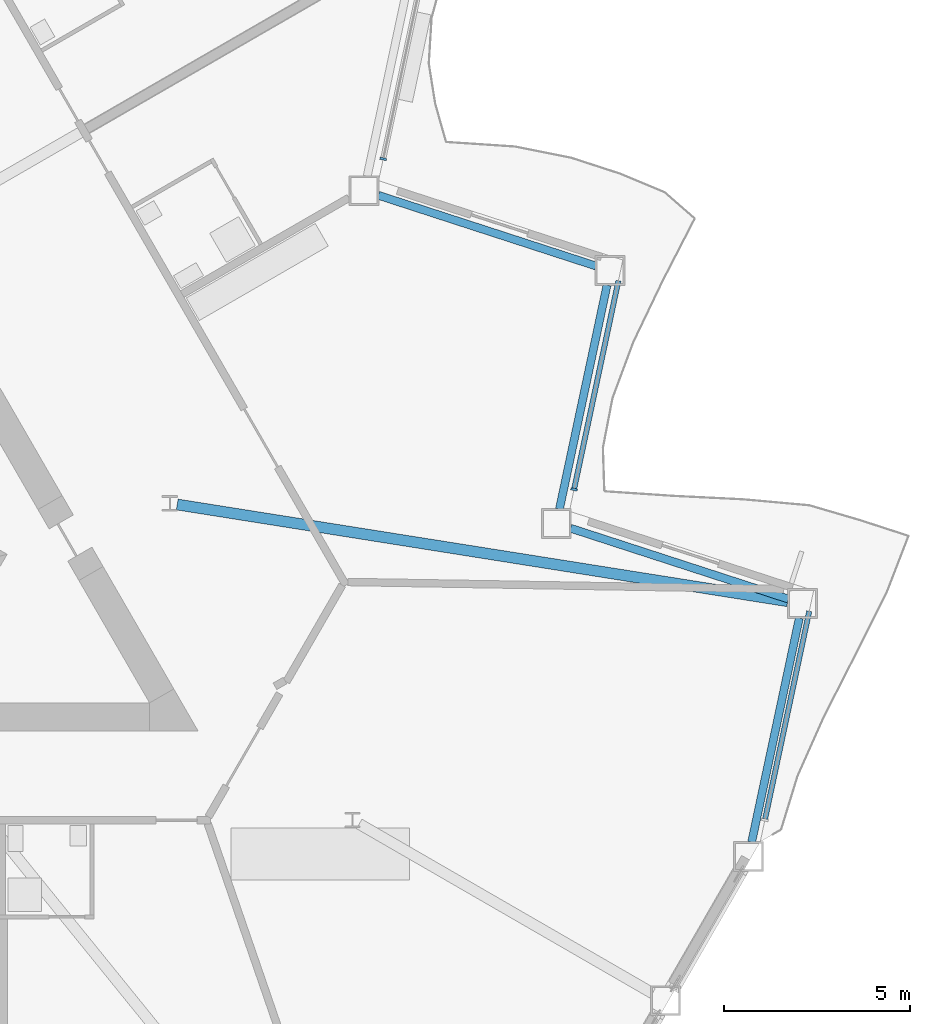
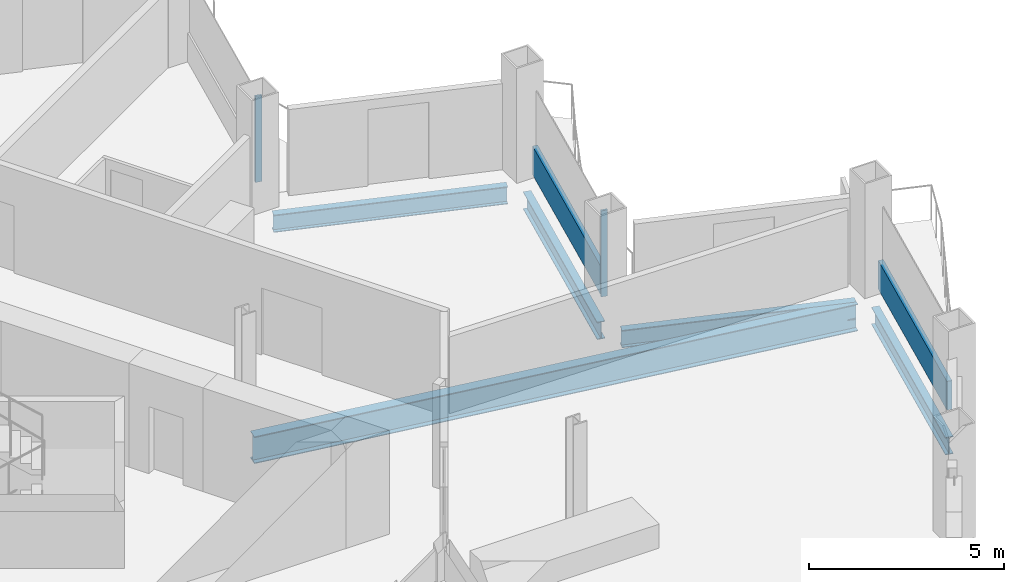
# One storey, part 6 of 23: 5 beams, 4 members, 3 elements without a shape of their own.
"""IFC4 building model written with IfcOpenShell, lengths in metres."""

from ifc_helpers import new_model, si_unit, direction, frame, origin, origin_2d, place, context, subcontext, project, spatial, rectangle, i_section, extrude, material, layer, layer_set, material_profile, profile_set, type_object, element, aggregate, save


model = new_model("IFC4")

# Units and contexts
model_context = context("Model", 3, precision=1e-05, world=origin(), true_north=direction((0.0, 1.0)))
body_context = subcontext(model_context, "Body", "Model", "MODEL_VIEW")
ifc_project = project(units=[si_unit("LENGTHUNIT", "METRE"), si_unit("AREAUNIT", "SQUARE_METRE"), si_unit("VOLUMEUNIT", "CUBIC_METRE"), si_unit("PLANEANGLEUNIT", "RADIAN"), si_unit("MASSUNIT", "GRAM", prefix="KILO")], contexts=[model_context])

# Site, building, storey
site_placement = place(None, origin())
site = spatial("IfcSite", under=ifc_project, at=site_placement, CompositionType="ELEMENT")
building_placement = place(site_placement, origin())
building = spatial("IfcBuilding", under=site, at=building_placement, Name="Cormorant Prow Tower", CompositionType="ELEMENT")
storey_placement = place(building_placement, frame((0.0, 0.0, 180.0)))
storey = spatial("IfcBuildingStorey", under=building, at=storey_placement, Name="L38", CompositionType="ELEMENT", Elevation=180.0)

# Curtain wall, member
ifc_material_1 = material(Name="Aluminium 6063-T6", Category="aluminium")
ifc_layer = layer(ifc_material_1, 0.179931640625)
ifc_layer_set = layer_set([ifc_layer], Name="Aluminium 6063-T6")
curtain_wall_type = type_object("IfcCurtainWallType", Name="Hotel unitised curtain wall 180", PredefinedType="NOTDEFINED", material=ifc_layer_set)
curtain_wall_1_placement = place(storey_placement, origin())
curtain_wall_1 = element("IfcCurtainWall", 1, at=curtain_wall_1_placement, inside=storey, type_object=curtain_wall_type, Name="Hotel curtain wall ENE02", PredefinedType="NOTDEFINED")
ifc_material_2 = material(Name="Aluminium 6063-T6", Category="aluminium")
ifc_material_profile_1 = material_profile(ifc_material_2, rectangle(XDim=0.179931640625, YDim=0.06005859375, at=origin_2d()), Name="Hotel mullion 60x180")
ifc_profile_set_1 = profile_set([ifc_material_profile_1], Name="Aluminium 6063-T6")
member_type_1 = type_object("IfcMemberType", Name="Hotel mullion 60x180", PredefinedType="MULLION", material=ifc_profile_set_1)
member_1_placement = place(storey_placement, frame((25.6044921875, -2.46484375, 0.0), z_axis=(0.0, 0.0, 1.0), x_axis=(-0.978147621102, 0.207911594993, 0.0)))
member_1 = element("IfcMember", 2, at=member_1_placement, type_object=member_type_1, Name="Hotel mullion ENE02", PredefinedType="MULLION", context=body_context, shape_type="SweptSolid", body=[
    extrude(rectangle(XDim=0.179931640625, YDim=0.06005859375, at=origin_2d()), origin(), (0.0, 0.0, 1.0), 2.700927734375),
])

curtain_wall_2_placement = place(storey_placement, origin())
curtain_wall_2 = element("IfcCurtainWall", 3, at=curtain_wall_2_placement, inside=storey, type_object=curtain_wall_type, Name="Hotel curtain wall ENE04", PredefinedType="NOTDEFINED")
member_2_placement = place(storey_placement, frame((20.4775390625, 6.41552734375, 0.0), z_axis=(0.0, 0.0, 1.0), x_axis=(-0.978147585359, 0.207911763151, 0.0)))
member_2 = element("IfcMember", 4, at=member_2_placement, type_object=member_type_1, Name="Hotel mullion ENE04", PredefinedType="MULLION", context=body_context, shape_type="SweptSolid", body=[
    extrude(rectangle(XDim=0.179931640625, YDim=0.06005859375, at=origin_2d()), origin(), (0.0, 0.0, 1.0), 2.700927734375),
])
aggregate(curtain_wall_2, [member_2])

curtain_wall_3_placement = place(storey_placement, origin())
curtain_wall_3 = element("IfcCurtainWall", 5, at=curtain_wall_3_placement, inside=storey, type_object=curtain_wall_type, Name="Hotel curtain wall ENE00", PredefinedType="NOTDEFINED")
ifc_material_3 = material(Name="Terracotta", Category="masonry")
ifc_material_profile_2 = material_profile(ifc_material_3, rectangle(XDim=0.139892578125, YDim=0.89990234375, at=origin_2d()), Name="Hotel terracotta spandrel rail 140x900")
ifc_profile_set_2 = profile_set([ifc_material_profile_2], Name="Terracotta")
member_type_2 = type_object("IfcMemberType", Name="Hotel terracotta spandrel rail 140x900", PredefinedType="USERDEFINED", material=ifc_profile_set_2)
member_3_placement = place(storey_placement, frame((30.738037109375, -11.31591796875, 0.449951171875), z_axis=(0.207915072454, 0.978146881939, 0.0), x_axis=(-0.978146881939, 0.207915072454, 0.0)))
member_3 = element("IfcMember", 6, at=member_3_placement, type_object=member_type_2, Name="Hotel spandrel rail ENE00", ObjectType="TRANSOM", PredefinedType="USERDEFINED", context=body_context, shape_type="SweptSolid", body=[
    extrude(rectangle(XDim=0.139892578125, YDim=0.89990234375, at=origin_2d()), origin(), (0.0, 0.0, 1.0), 5.703125),
])
aggregate(curtain_wall_3, [member_3])

# Member
member_4_placement = place(storey_placement, frame((25.61083984375, -2.435546875, 0.449951171875), z_axis=(0.207915072454, 0.978146881939, 0.0), x_axis=(-0.978146881939, 0.207915072454, 0.0)))
member_4 = element("IfcMember", 7, at=member_4_placement, type_object=member_type_2, Name="Hotel spandrel rail ENE02", ObjectType="TRANSOM", PredefinedType="USERDEFINED", context=body_context, shape_type="SweptSolid", body=[
    extrude(rectangle(XDim=0.139892578125, YDim=0.89990234375, at=origin_2d()), origin(), (0.0, 0.0, 1.0), 5.703125),
])

aggregate(curtain_wall_1, [member_1, member_4])

# Beams
ifc_material_4 = material(Name="Structural steel ASTM A992 Gr 50", Category="steel")
ifc_material_profile_3 = material_profile(ifc_material_4, i_section(OverallWidth=0.29296875, OverallDepth=0.845703125, WebThickness=0.015380859375, FlangeThickness=0.0244140625, at=origin_2d()), Name="W33x141")
ifc_profile_set_3 = profile_set([ifc_material_profile_3], Name="Structural steel ASTM A992 Gr 50")
beam_type_1 = type_object("IfcBeamType", Name="Radial floor beam W33x141", PredefinedType="BEAM", material=ifc_profile_set_3)
beam_1_placement = place(storey_placement, frame((14.94384765625, -2.869140625, -0.77294921875), z_axis=(0.987678058302, -0.156499371084, 0.0), x_axis=(0.156499371084, 0.987678058302, 0.0)))
element("IfcBeam", 8, at=beam_1_placement, inside=storey, type_object=beam_type_1, Name="Radial floor beam FB2 10 L38", PredefinedType="BEAM", context=body_context, shape_type="SweptSolid", body=[
    extrude(i_section(OverallWidth=0.29296875, OverallDepth=0.845703125, WebThickness=0.015380859375, FlangeThickness=0.0244140625, at=origin_2d()), origin(), (0.0, 0.0, 1.0), 16.604736328125),
])
ifc_material_5 = material(Name="Structural steel ASTM A992 Gr 50", Category="steel")
ifc_material_profile_4 = material_profile(ifc_material_5, i_section(OverallWidth=0.2138671875, OverallDepth=0.549072265625, WebThickness=0.0146484375, FlangeThickness=0.023681640625, at=origin_2d()), Name="W21x93")
ifc_profile_set_4 = profile_set([ifc_material_profile_4], Name="Structural steel ASTM A992 Gr 50")
beam_type_2 = type_object("IfcBeamType", Name="Spandrel beam W21x93", PredefinedType="SPANDREL", material=ifc_profile_set_4)
beam_2_placement = place(storey_placement, frame((30.377197265625, -11.93701171875, -0.62451171875), z_axis=(0.207904811195, 0.978149063018, 0.0), x_axis=(-0.978149063018, 0.207904811195, 0.0)))
element("IfcBeam", 9, at=beam_2_placement, inside=storey, type_object=beam_type_2, Name="Spandrel beam SB2 ENE00-ENE01 L38", PredefinedType="SPANDREL", context=body_context, shape_type="SweptSolid", body=[
    extrude(i_section(OverallWidth=0.2138671875, OverallDepth=0.549072265625, WebThickness=0.0146484375, FlangeThickness=0.023681640625, at=origin_2d()), origin(), (0.0, 0.0, 1.0), 6.149658203125),
])
beam_3_placement = place(storey_placement, frame((31.358642578125, -5.40673828125, -0.62451171875), z_axis=(-0.951057696564, 0.309013361859, 0.0), x_axis=(-0.309013361859, -0.951057696564, 0.0)))
element("IfcBeam", 10, at=beam_3_placement, inside=storey, type_object=beam_type_2, Name="Spandrel beam SB2 ENE01-ENE02 L38", PredefinedType="SPANDREL", context=body_context, shape_type="SweptSolid", body=[
    extrude(i_section(OverallWidth=0.2138671875, OverallDepth=0.549072265625, WebThickness=0.0146484375, FlangeThickness=0.023681640625, at=origin_2d()), origin(), (0.0, 0.0, 1.0), 6.14990234375),
])
beam_4_placement = place(storey_placement, frame((25.21240234375, -2.991455078125, -0.62451171875), z_axis=(0.207904811195, 0.978149063018, 0.0), x_axis=(-0.978149063018, 0.207904811195, 0.0)))
element("IfcBeam", 11, at=beam_4_placement, inside=storey, type_object=beam_type_2, Name="Spandrel beam SB2 ENE02-ENE03 L38", PredefinedType="SPANDREL", context=body_context, shape_type="SweptSolid", body=[
    extrude(i_section(OverallWidth=0.2138671875, OverallDepth=0.549072265625, WebThickness=0.0146484375, FlangeThickness=0.023681640625, at=origin_2d()), origin(), (0.0, 0.0, 1.0), 6.149658203125),
])
beam_5_placement = place(storey_placement, frame((26.19384765625, 3.538818359375, -0.62451171875), z_axis=(-0.951057696564, 0.309013361859, 0.0), x_axis=(-0.309013361859, -0.951057696564, 0.0)))
element("IfcBeam", 12, at=beam_5_placement, inside=storey, type_object=beam_type_2, Name="Spandrel beam SB2 ENE03-ENE04 L38", PredefinedType="SPANDREL", context=body_context, shape_type="SweptSolid", body=[
    extrude(i_section(OverallWidth=0.2138671875, OverallDepth=0.549072265625, WebThickness=0.0146484375, FlangeThickness=0.023681640625, at=origin_2d()), origin(), (0.0, 0.0, 1.0), 6.14990234375),
])

save(model, "model.ifc")
